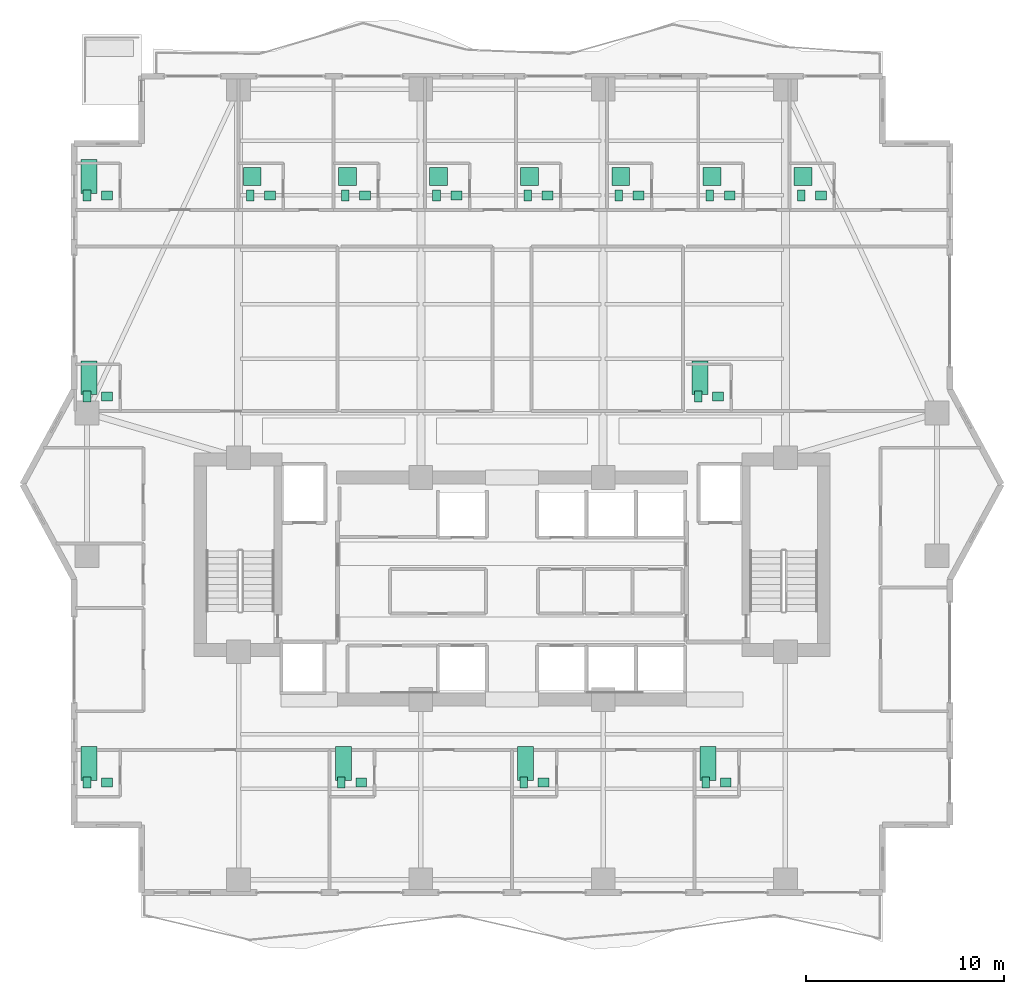
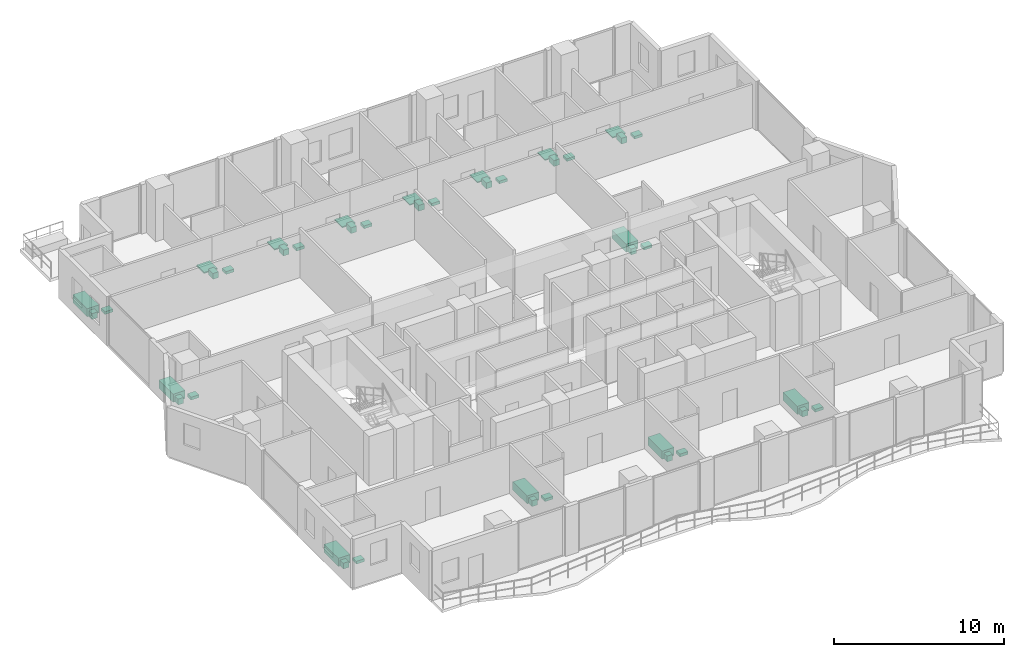
# One storey, part 33 of 33: 42 sanitary terminals.
"""IFC4 building model written with IfcOpenShell, lengths in metres."""

from ifc_helpers import new_model, si_unit, direction, frame, origin, origin_2d, place, context, subcontext, project, spatial, rectangle, extrude, material, type_object, element, save


model = new_model("IFC4")

# Units and contexts
model_context = context("Model", 3, precision=1e-05, world=origin(), true_north=direction((0.0, 1.0)))
body_context = subcontext(model_context, "Body", "Model", "MODEL_VIEW")
ifc_project = project(units=[si_unit("LENGTHUNIT", "METRE"), si_unit("AREAUNIT", "SQUARE_METRE"), si_unit("VOLUMEUNIT", "CUBIC_METRE"), si_unit("PLANEANGLEUNIT", "RADIAN"), si_unit("MASSUNIT", "GRAM", prefix="KILO")], contexts=[model_context])

# Site, building, storey
site_placement = place(None, origin())
site = spatial("IfcSite", under=ifc_project, at=site_placement, CompositionType="ELEMENT")
building_placement = place(site_placement, origin())
building = spatial("IfcBuilding", under=site, at=building_placement, Name="Zuhayl Quay Hotel", CompositionType="ELEMENT")
storey_placement = place(building_placement, frame((0.0, 0.0, 222.39990234375)))
storey = spatial("IfcBuildingStorey", under=building, at=storey_placement, Name="L56", CompositionType="ELEMENT", Elevation=222.39990234375)

# Sanitary terminals
ifc_material = material(Name="Vitreous Porcelain Sanitaryware")
sanitary_terminal_type_1 = type_object("IfcSanitaryTerminalType", Name="SAN_BASIN", PredefinedType="WASHHANDBASIN", material=ifc_material)
for number, where, z_axis, x_axis, name in (
    (1, (-20.449951171875, 27.590087890625, 0.0), (0.0, 0.0, 1.0), (1.0, 0.0, 0.0), "L56 Sanitary Fixture WASHHANDBASIN"),
    (2, (-12.2099609375, 27.590087890625, 0.0), (0.0, 0.0, 1.0), (1.0, 0.0, 0.0), "L56 Sanitary Fixture WASHHANDBASIN"),
    (3, (-7.409912109375, 27.590087890625, 0.0), (0.0, 0.0, 1.0), (1.0, 0.0, 0.0), "L56 Sanitary Fixture WASHHANDBASIN"),
    (4, (-2.81005859375, 27.590087890625, 0.0), (0.0, 0.0, 1.0), (1.0, 0.0, 0.0), "L56 Sanitary Fixture WASHHANDBASIN"),
    (5, (1.7900390625, 27.590087890625, 0.0), (0.0, 0.0, 1.0), (1.0, 0.0, 0.0), "L56 Sanitary Fixture WASHHANDBASIN"),
    (6, (6.389892578125, 27.590087890625, 0.0), (0.0, 0.0, 1.0), (1.0, 0.0, 0.0), "L56 Sanitary Fixture WASHHANDBASIN"),
    (7, (10.989990234375, 27.590087890625, 0.0), (0.0, 0.0, 1.0), (1.0, 0.0, 0.0), "L56 Sanitary Fixture WASHHANDBASIN"),
    (8, (15.590087890625, 27.590087890625, 0.0), (0.0, 0.0, 1.0), (1.0, 0.0, 0.0), "L56 Sanitary Fixture WASHHANDBASIN"),
    (9, (-20.449951171875, 17.43994140625, 0.0), (0.0, 0.0, 1.0), (1.0, 0.0, 0.0), "L56 Sanitary Fixture WASHHANDBASIN"),
    (10, (10.389892578125, 17.43994140625, 0.0), (0.0, 0.0, 1.0), (1.0, 0.0, 0.0), "L56 Sanitary Fixture WASHHANDBASIN"),
    (11, (-20.449951171875, -2.0400390625, 0.0), (0.0, 0.0, 1.0), (1.0, 0.0, 0.0), "L56 Sanitary Fixture WASHHANDBASIN"),
    (12, (-7.610107421875, -2.0400390625, 0.0), (0.0, 0.0, 1.0), (1.0, 0.0, 0.0), "L56 Sanitary Fixture WASHHANDBASIN"),
    (13, (1.590087890625, -2.0400390625, 0.0), (0.0, 0.0, 1.0), (1.0, 0.0, 0.0), "L56 Sanitary Fixture WASHHANDBASIN"),
    (14, (10.7900390625, -2.0400390625, 0.0), (0.0, 0.0, 1.0), (1.0, 0.0, 0.0), "L56 Sanitary Fixture WASHHANDBASIN"),
):
    element("IfcSanitaryTerminal", number, at=place(storey_placement, frame(where, z_axis=z_axis, x_axis=x_axis)), inside=storey, type_object=sanitary_terminal_type_1, Name=name, PredefinedType="WASHHANDBASIN", context=body_context, shape_type="SweptSolid", body=[
        extrude(rectangle(XDim=0.550048828125, YDim=0.449951171875, at=origin_2d()), origin(), (0.0, 0.0, 1.0), 0.199951171875),
    ])
sanitary_terminal_type_2 = type_object("IfcSanitaryTerminalType", Name="SAN_BATH", PredefinedType="BATH", material=ifc_material)
for number, where, z_axis, x_axis, name in (
    (15, (-21.35009765625, 28.5400390625, 0.0), (0.0, 0.0, 1.0), (1.0, 0.0, 0.0), "L56 Sanitary Fixture BATH"),
    (16, (-21.35009765625, 18.389892578125, 0.0), (0.0, 0.0, 1.0), (1.0, 0.0, 0.0), "L56 Sanitary Fixture BATH"),
    (17, (9.489990234375, 18.389892578125, 0.0), (0.0, 0.0, 1.0), (1.0, 0.0, 0.0), "L56 Sanitary Fixture BATH"),
    (18, (-21.35009765625, -1.090087890625, 0.0), (0.0, 0.0, 1.0), (1.0, 0.0, 0.0), "L56 Sanitary Fixture BATH"),
    (19, (-8.510009765625, -1.090087890625, 0.0), (0.0, 0.0, 1.0), (1.0, 0.0, 0.0), "L56 Sanitary Fixture BATH"),
    (20, (0.68994140625, -1.090087890625, 0.0), (0.0, 0.0, 1.0), (1.0, 0.0, 0.0), "L56 Sanitary Fixture BATH"),
    (21, (9.889892578125, -1.090087890625, 0.0), (0.0, 0.0, 1.0), (1.0, 0.0, 0.0), "L56 Sanitary Fixture BATH"),
):
    element("IfcSanitaryTerminal", number, at=place(storey_placement, frame(where, z_axis=z_axis, x_axis=x_axis)), inside=storey, type_object=sanitary_terminal_type_2, Name=name, PredefinedType="BATH", context=body_context, shape_type="SweptSolid", body=[
        extrude(rectangle(XDim=0.800048828125, YDim=1.699951171875, at=origin_2d()), origin(), (0.0, 0.0, 1.0), 0.580078125),
    ])
sanitary_terminal_type_3 = type_object("IfcSanitaryTerminalType", Name="SAN_SHOWER", PredefinedType="SHOWER", material=ifc_material)
for number, where, z_axis, x_axis, name in (
    (22, (-13.110107421875, 28.5400390625, 0.0), (0.0, 0.0, 1.0), (1.0, 0.0, 0.0), "L56 Sanitary Fixture SHOWER"),
    (23, (-8.31005859375, 28.5400390625, 0.0), (0.0, 0.0, 1.0), (1.0, 0.0, 0.0), "L56 Sanitary Fixture SHOWER"),
    (24, (-3.7099609375, 28.5400390625, 0.0), (0.0, 0.0, 1.0), (1.0, 0.0, 0.0), "L56 Sanitary Fixture SHOWER"),
    (25, (0.889892578125, 28.5400390625, 0.0), (0.0, 0.0, 1.0), (1.0, 0.0, 0.0), "L56 Sanitary Fixture SHOWER"),
    (26, (5.489990234375, 28.5400390625, 0.0), (0.0, 0.0, 1.0), (1.0, 0.0, 0.0), "L56 Sanitary Fixture SHOWER"),
    (27, (10.090087890625, 28.5400390625, 0.0), (0.0, 0.0, 1.0), (1.0, 0.0, 0.0), "L56 Sanitary Fixture SHOWER"),
    (28, (14.68994140625, 28.5400390625, 0.0), (0.0, 0.0, 1.0), (1.0, 0.0, 0.0), "L56 Sanitary Fixture SHOWER"),
):
    element("IfcSanitaryTerminal", number, at=place(storey_placement, frame(where, z_axis=z_axis, x_axis=x_axis)), inside=storey, type_object=sanitary_terminal_type_3, Name=name, PredefinedType="SHOWER", context=body_context, shape_type="SweptSolid", body=[
        extrude(rectangle(XDim=0.89990234375, YDim=0.89990234375, at=origin_2d()), origin(), (0.0, 0.0, 1.0), 0.080078125),
    ])
sanitary_terminal_type_4 = type_object("IfcSanitaryTerminalType", Name="SAN_WC", PredefinedType="TOILETPAN", material=ifc_material)
for number, where, z_axis, x_axis, name in (
    (29, (-21.449951171875, 27.590087890625, 0.000244140625), (0.0, 0.0, 1.0), (1.0, 0.0, 0.0), "L56 Sanitary Fixture TOILETPAN"),
    (30, (-13.2099609375, 27.590087890625, 0.000244140625), (0.0, 0.0, 1.0), (1.0, 0.0, 0.0), "L56 Sanitary Fixture TOILETPAN"),
    (31, (-8.409912109375, 27.590087890625, 0.000244140625), (0.0, 0.0, 1.0), (1.0, 0.0, 0.0), "L56 Sanitary Fixture TOILETPAN"),
    (32, (-3.81005859375, 27.590087890625, 0.000244140625), (0.0, 0.0, 1.0), (1.0, 0.0, 0.0), "L56 Sanitary Fixture TOILETPAN"),
    (33, (0.7900390625, 27.590087890625, 0.000244140625), (0.0, 0.0, 1.0), (1.0, 0.0, 0.0), "L56 Sanitary Fixture TOILETPAN"),
    (34, (5.389892578125, 27.590087890625, 0.000244140625), (0.0, 0.0, 1.0), (1.0, 0.0, 0.0), "L56 Sanitary Fixture TOILETPAN"),
    (35, (9.989990234375, 27.590087890625, 0.000244140625), (0.0, 0.0, 1.0), (1.0, 0.0, 0.0), "L56 Sanitary Fixture TOILETPAN"),
    (36, (14.590087890625, 27.590087890625, 0.000244140625), (0.0, 0.0, 1.0), (1.0, 0.0, 0.0), "L56 Sanitary Fixture TOILETPAN"),
    (37, (-21.449951171875, 17.43994140625, 0.000244140625), (0.0, 0.0, 1.0), (1.0, 0.0, 0.0), "L56 Sanitary Fixture TOILETPAN"),
    (38, (9.389892578125, 17.43994140625, 0.000244140625), (0.0, 0.0, 1.0), (1.0, 0.0, 0.0), "L56 Sanitary Fixture TOILETPAN"),
    (39, (-21.449951171875, -2.0400390625, 0.000244140625), (0.0, 0.0, 1.0), (1.0, 0.0, 0.0), "L56 Sanitary Fixture TOILETPAN"),
    (40, (-8.610107421875, -2.0400390625, 0.000244140625), (0.0, 0.0, 1.0), (1.0, 0.0, 0.0), "L56 Sanitary Fixture TOILETPAN"),
    (41, (0.590087890625, -2.0400390625, 0.000244140625), (0.0, 0.0, 1.0), (1.0, 0.0, 0.0), "L56 Sanitary Fixture TOILETPAN"),
    (42, (9.7900390625, -2.0400390625, 0.000244140625), (0.0, 0.0, 1.0), (1.0, 0.0, 0.0), "L56 Sanitary Fixture TOILETPAN"),
):
    element("IfcSanitaryTerminal", number, at=place(storey_placement, frame(where, z_axis=z_axis, x_axis=x_axis)), inside=storey, type_object=sanitary_terminal_type_4, Name=name, PredefinedType="TOILETPAN", context=body_context, shape_type="SweptSolid", body=[
        extrude(rectangle(XDim=0.3798828125, YDim=0.56005859375, at=origin_2d()), origin(), (0.0, 0.0, 1.0), 0.419921875),
    ])

save(model, "model.ifc")
